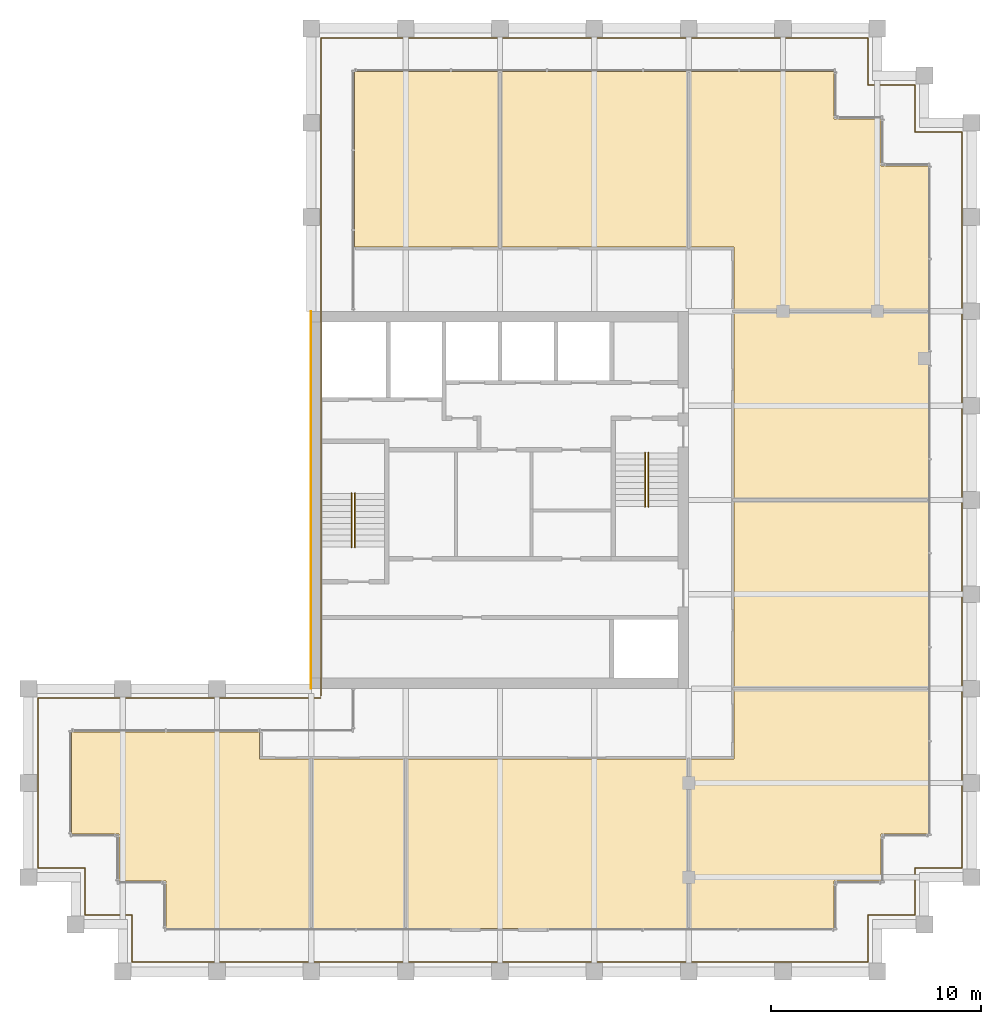
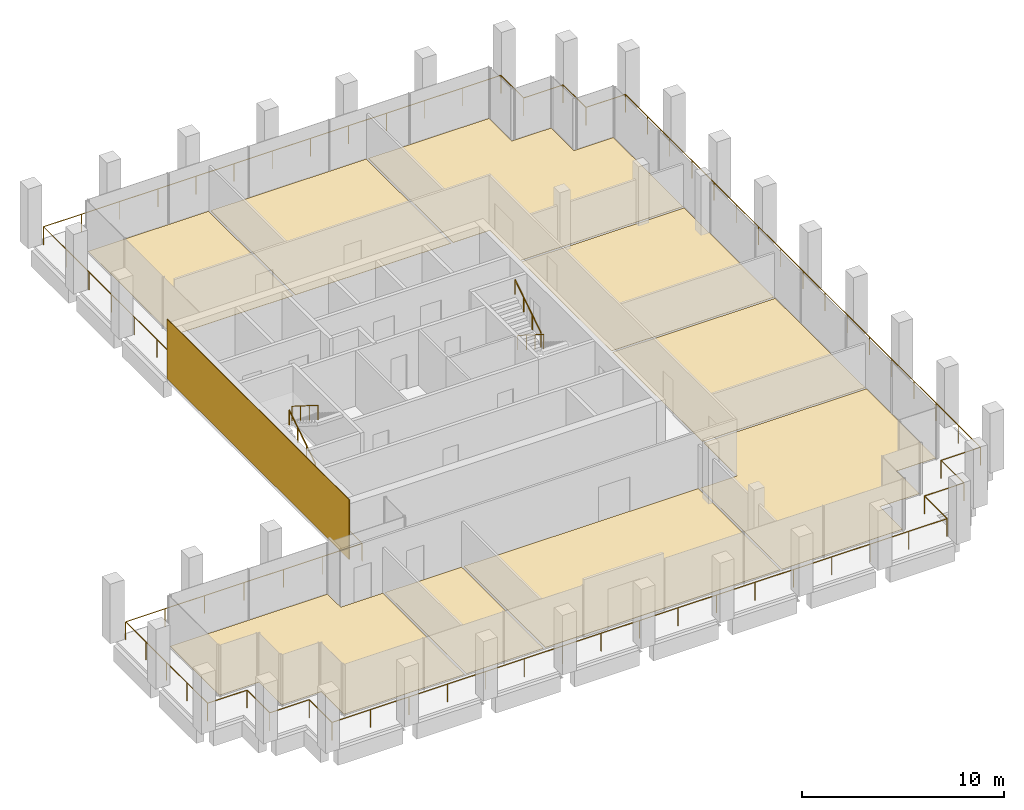
# One storey, part 30 of 30: 10 coverings, 5 railings.
"""IFC4 building model written with IfcOpenShell, lengths in metres."""

import ifcopenshell
import ifcopenshell.guid

model = None  # the IFC model being written
_history = None  # IfcOwnerHistory: only IFC2X3 demands one
_inside = {}  # id of a spatial element -> (the spatial element, [elements in it])
_under = {}  # id of a project, library or spatial element -> (it, [spatial elements below it])
_declared = {}  # id of a project -> (the project, [libraries it declares])
_typed = {}  # id of a type object -> (the type object, [elements of that type])
_made_of = {}  # id of a material, layer set ... -> (it, [elements and type objects made of it])


def new_model(schema):
    """Start an empty IFC model of exactly this schema.

    Asked for "IFC4X3", IfcOpenShell would pick the latest addendum, in which some entities
    have other attributes; the version numbers below select the first issue.
    IFC2X3 requires an IfcOwnerHistory on every rooted entity: one is made here for all.
    """
    global model, _history
    if schema == "IFC4X3":
        model = ifcopenshell.file(schema_version=(4, 3, 0, 0))
    else:
        model = ifcopenshell.file(schema=schema)
    _inside.clear()
    _under.clear()
    _declared.clear()
    _typed.clear()
    _made_of.clear()
    _history = None
    if model.schema == "IFC2X3":
        org = make("IfcOrganization", Name="unknown")
        user = make(
            "IfcPersonAndOrganization",
            ThePerson=make("IfcPerson", FamilyName="unknown"),
            TheOrganization=org,
        )
        app = make(
            "IfcApplication",
            ApplicationDeveloper=org,
            Version="unknown",
            ApplicationFullName="unknown",
            ApplicationIdentifier="unknown",
        )
        _history = make(
            "IfcOwnerHistory",
            OwningUser=user,
            OwningApplication=app,
            ChangeAction="ADDED",
            CreationDate=0,
        )
    return model


def make(cls, **values):
    """One entity of the class cls with the attributes given. An attribute that is None is left unset."""
    return model.create_entity(
        cls, **{name: value for name, value in values.items() if value is not None}
    )


def rooted(cls, **values):
    """An entity with a GlobalId (a new one), such as an element, a storey or a relation."""
    return make(cls, GlobalId=ifcopenshell.guid.new(), OwnerHistory=_history, **values)


def si_unit(unit_type, name, prefix=None):
    """IfcSIUnit, for example si_unit("LENGTHUNIT", "METRE", prefix="MILLI")."""
    return make("IfcSIUnit", UnitType=unit_type, Prefix=prefix, Name=name)


def assignment(units):
    """IfcUnitAssignment: the units of a project."""
    return None if units is None else make("IfcUnitAssignment", Units=units)


def point(xyz):
    """IfcCartesianPoint."""
    return None if xyz is None else make("IfcCartesianPoint", Coordinates=xyz)


def direction(xyz):
    """IfcDirection."""
    return None if xyz is None else make("IfcDirection", DirectionRatios=xyz)


def frame(location, z_axis=None, x_axis=None):
    """IfcAxis2Placement3D, a coordinate frame: its origin and axes. An axis left out is left unset."""
    return make(
        "IfcAxis2Placement3D",
        Location=point(location),
        Axis=direction(z_axis),
        RefDirection=direction(x_axis),
    )


def frame_2d(location, x_axis=None):
    """IfcAxis2Placement2D, a coordinate frame in the plane: its origin and x axis."""
    return make(
        "IfcAxis2Placement2D", Location=point(location), RefDirection=direction(x_axis)
    )


def origin():
    """The frame at (0, 0, 0) with its axes left unset."""
    return frame((0.0, 0.0, 0.0))


def origin_2d():
    """The frame at (0, 0) in the plane with its x axis left unset."""
    return frame_2d((0.0, 0.0))


def place(relative_to, where):
    """IfcLocalPlacement: puts the frame where relative to a parent placement (None: the world)."""
    return make(
        "IfcLocalPlacement", PlacementRelTo=relative_to, RelativePlacement=where
    )


def context(
    kind, dimensions, precision=None, world=None, true_north=None, identifier=None
):
    """IfcGeometricRepresentationContext, for example the 3D "Model" context."""
    return make(
        "IfcGeometricRepresentationContext",
        ContextIdentifier=identifier,
        ContextType=kind,
        CoordinateSpaceDimension=dimensions,
        Precision=precision,
        WorldCoordinateSystem=world,
        TrueNorth=true_north,
    )


def subcontext(parent, identifier, kind, view, scale=None):
    """IfcGeometricRepresentationSubContext, for example "Body" below "Model"."""
    return make(
        "IfcGeometricRepresentationSubContext",
        ContextIdentifier=identifier,
        ContextType=kind,
        ParentContext=parent,
        TargetScale=scale,
        TargetView=view,
    )


def project(units=None, contexts=None):
    """IfcProject with its units and contexts."""
    return rooted(
        "IfcProject",
        Name="project",
        RepresentationContexts=contexts,
        UnitsInContext=assignment(units),
    )


def spatial(cls, under=None, at=None, **own):
    """A site, building, storey or space (cls), placed at a placement, below another one or the project."""
    s = rooted(cls, ObjectPlacement=at, **own)
    if under is not None:
        _under.setdefault(under.id(), (under, []))[1].append(s)
    return s


def polyline(points):
    """IfcPolyline through the points."""
    return make("IfcPolyline", Points=[point(p) for p in points])


def profile(cls, at=None, kind="AREA", **sizes):
    """A parametric profile (cls). Its sizes go by their IFC names, for example OverallWidth=200.0."""
    return make(cls, ProfileType=kind, Position=at, **sizes)


def rectangle(**sizes):
    """IfcRectangleProfileDef."""
    return profile("IfcRectangleProfileDef", **sizes)


def circle(**sizes):
    """IfcCircleProfileDef."""
    return profile("IfcCircleProfileDef", **sizes)


def outline(outer, holes=None, kind="AREA"):
    """IfcArbitraryClosedProfileDef: a profile drawn as a closed curve; with holes, ...WithVoids."""
    if holes is None:
        return make("IfcArbitraryClosedProfileDef", ProfileType=kind, OuterCurve=outer)
    return make(
        "IfcArbitraryProfileDefWithVoids",
        ProfileType=kind,
        OuterCurve=outer,
        InnerCurves=holes,
    )


def extrude(swept, where, along, depth):
    """IfcExtrudedAreaSolid: the profile swept, set in the frame where, extruded along a direction by depth."""
    return make(
        "IfcExtrudedAreaSolid",
        SweptArea=swept,
        Position=where,
        ExtrudedDirection=direction(along),
        Depth=depth,
    )


def shape(context_of_items, identifier, shape_type, items):
    """IfcShapeRepresentation: the items that make up one representation, for example the "Body"."""
    return make(
        "IfcShapeRepresentation",
        ContextOfItems=context_of_items,
        RepresentationIdentifier=identifier,
        RepresentationType=shape_type,
        Items=items,
    )


def source(mapping_origin, context_of_items, identifier, shape_type, items):
    """IfcRepresentationMap: a shape defined once, which mapped items show again and again."""
    return make(
        "IfcRepresentationMap",
        MappingOrigin=mapping_origin,
        MappedRepresentation=shape(context_of_items, identifier, shape_type, items),
    )


def transform(
    local_origin,
    x_axis=None,
    y_axis=None,
    z_axis=None,
    scale=None,
    scale2=None,
    scale3=None,
    uniform=True,
):
    """IfcCartesianTransformationOperator3D, or its non-uniform kind. x_axis, y_axis, z_axis: its Axis1, 2, 3."""
    if uniform:
        return make(
            "IfcCartesianTransformationOperator3D",
            Axis1=direction(x_axis),
            Axis2=direction(y_axis),
            LocalOrigin=point(local_origin),
            Scale=scale,
            Axis3=direction(z_axis),
        )
    return make(
        "IfcCartesianTransformationOperator3DnonUniform",
        Axis1=direction(x_axis),
        Axis2=direction(y_axis),
        LocalOrigin=point(local_origin),
        Scale=scale,
        Axis3=direction(z_axis),
        Scale2=scale2,
        Scale3=scale3,
    )


def mapped(mapping_source, mapping_target):
    """IfcMappedItem: shows the shape of a source again, moved by a transform."""
    return make(
        "IfcMappedItem", MappingSource=mapping_source, MappingTarget=mapping_target
    )


def material(Name=None, Category=None):
    """IfcMaterial."""
    return make("IfcMaterial", Name=Name, Category=Category)


def layer(
    of_material, thickness, ventilated=None, Name=None, Category=None, Priority=None
):
    """IfcMaterialLayer: one layer of a wall or slab, of a material (None: an air gap)."""
    return make(
        "IfcMaterialLayer",
        Material=of_material,
        LayerThickness=thickness,
        IsVentilated=ventilated,
        Name=Name,
        Category=Category,
        Priority=Priority,
    )


def layer_set(layers, Name=None):
    """IfcMaterialLayerSet."""
    return make("IfcMaterialLayerSet", MaterialLayers=layers, LayerSetName=Name)


def made_of(thing, what):
    """Note that an element or type object is made of a material, layer set ...; save() writes the relation."""
    if what is not None:
        _made_of.setdefault(what.id(), (what, []))[1].append(thing)
    return thing


def type_object(cls, material=None, **own):
    """A type object (cls), such as IfcWallType, which elements share."""
    return made_of(rooted(cls, **own), material)


def element(
    cls,
    number,
    at=None,
    inside=None,
    cuts=None,
    type_object=None,
    material=None,
    context=None,
    identifier="Body",
    shape_type=None,
    held_by="IfcProductDefinitionShape",
    body=None,
    shapes=None,
    **own,
):
    """One element of the class cls, such as IfcWall. Its Tag is "e" and its number.

    at: its placement. inside: the storey or other place that contains it. cuts: it is an
    opening in that element (IfcRelVoidsElement). A single representation is given by context,
    identifier, shape_type and body (its items); several are given by shapes. held_by: the class
    of the entity that holds the representations. save() writes the other relations.
    """
    e = rooted(cls, Tag="e%d" % number, ObjectPlacement=at, **own)
    if body is not None:
        shapes = [shape(context, identifier, shape_type, body)]
    if shapes is not None:
        e.Representation = make(held_by, Representations=shapes)
    if inside is not None:
        _inside.setdefault(inside.id(), (inside, []))[1].append(e)
    if cuts is not None:
        rooted(
            "IfcRelVoidsElement", RelatingBuildingElement=cuts, RelatedOpeningElement=e
        )
    if type_object is not None:
        _typed.setdefault(type_object.id(), (type_object, []))[1].append(e)
    return made_of(e, material)


def aggregate(whole, parts):
    """IfcRelAggregates: a whole, such as a stair, and the parts it consists of."""
    return rooted("IfcRelAggregates", RelatingObject=whole, RelatedObjects=parts)


def save(model, path):
    """Write the relations noted so far, then the file.

    IfcRelAggregates (storeys below a building ...), IfcRelContainedInSpatialStructure (elements
    in a storey), IfcRelDefinesByType, IfcRelAssociatesMaterial and IfcRelDeclares: one each for
    every whole, place, type object, material and project.
    """
    for whole, parts in _under.values():
        aggregate(whole, parts)
    for where, things in _inside.values():
        rooted(
            "IfcRelContainedInSpatialStructure",
            RelatedElements=things,
            RelatingStructure=where,
        )
    for kind, things in _typed.values():
        rooted("IfcRelDefinesByType", RelatedObjects=things, RelatingType=kind)
    for what, things in _made_of.values():
        rooted("IfcRelAssociatesMaterial", RelatedObjects=things, RelatingMaterial=what)
    for by, libraries in _declared.values():
        rooted("IfcRelDeclares", RelatingContext=by, RelatedDefinitions=libraries)
    model.write(path)


model = new_model("IFC4")

# Units and contexts
model_context = context("Model", 3, precision=1e-05, world=origin(), true_north=direction((0.0, 1.0)))
body_context = subcontext(model_context, "Body", "Model", "MODEL_VIEW")
ifc_project = project(units=[si_unit("LENGTHUNIT", "METRE"), si_unit("AREAUNIT", "SQUARE_METRE"), si_unit("VOLUMEUNIT", "CUBIC_METRE"), si_unit("PLANEANGLEUNIT", "RADIAN"), si_unit("MASSUNIT", "GRAM", prefix="KILO")], contexts=[model_context])

# Site, building, storey
site_placement = place(None, origin())
site = spatial("IfcSite", under=ifc_project, at=site_placement, CompositionType="ELEMENT")
building_placement = place(site_placement, origin())
building = spatial("IfcBuilding", under=site, at=building_placement, Name="Altepetl Exchange Towers", CompositionType="ELEMENT")
storey_placement = place(building_placement, frame((0.0, 0.0, 228.0)))
storey = spatial("IfcBuildingStorey", under=building, at=storey_placement, Name="L58", CompositionType="ELEMENT", Elevation=228.0)

# Coverings
ifc_material_1 = material(Name="Carpet tile")
ifc_layer_1 = layer(ifc_material_1, 0.02001953125)
ifc_layer_set_1 = layer_set([ifc_layer_1], Name="Carpet tile")
covering_type_1 = type_object("IfcCoveringType", Name="Carpet tile floor", PredefinedType="FLOORING", material=ifc_layer_set_1)
covering_1_placement = place(storey_placement, origin())
element("IfcCovering", 1, at=covering_1_placement, inside=storey, type_object=covering_type_1, Name="Open office floor finish A58.01", PredefinedType="FLOORING", context=body_context, shape_type="SweptSolid", body=[
    extrude(outline(polyline([(33.5625, 31.3125), (33.5625, 29.0625), (40.4375, 29.0625), (40.4375, 37.137451171875), (38.03759765625, 37.137451171875), (38.03759765625, 38.4375), (29.0625, 38.4375), (29.0625, 33.5625), (31.3125, 33.5625), (31.3125, 31.3125), (33.5625, 31.3125)])), origin(), (0.0, 0.0, 1.0), 0.02001953125),
])
covering_2_placement = place(storey_placement, origin())
element("IfcCovering", 2, at=covering_2_placement, inside=storey, type_object=covering_type_1, Name="Pantry floor finish A58.02", PredefinedType="FLOORING", context=body_context, shape_type="SweptSolid", body=[
    extrude(outline(polyline([(40.5625, 37.137451171875), (40.5625, 29.0625), (44.9375, 29.0625), (44.9375, 37.137451171875), (40.5625, 37.137451171875)])), origin(), (0.0, 0.0, 1.0), 0.02001953125),
])
covering_3_placement = place(storey_placement, origin())
element("IfcCovering", 3, at=covering_3_placement, inside=storey, type_object=covering_type_1, Name="Fund office floor finish A58.04", PredefinedType="FLOORING", context=body_context, shape_type="SweptSolid", body=[
    extrude(outline(polyline([(58.5625, 37.137451171875), (58.5625, 29.0625), (65.4375, 29.0625), (65.4375, 31.3125), (67.6875, 31.3125), (67.6875, 33.5625), (69.9375, 33.5625), (69.9375, 40.4375), (60.66259765625, 40.4375), (60.66259765625, 37.137451171875), (58.5625, 37.137451171875)])), origin(), (0.0, 0.0, 1.0), 0.02001953125),
])
covering_4_placement = place(storey_placement, origin())
element("IfcCovering", 4, at=covering_4_placement, inside=storey, type_object=covering_type_1, Name="Meeting room floor finish A58.05", PredefinedType="FLOORING", context=body_context, shape_type="SweptSolid", body=[
    extrude(outline(polyline([(60.66259765625, 40.5625), (69.9375, 40.5625), (69.9375, 49.4375), (60.66259765625, 49.4375), (60.66259765625, 40.5625)])), origin(), (0.0, 0.0, 1.0), 0.02001953125),
])
covering_5_placement = place(storey_placement, origin())
element("IfcCovering", 5, at=covering_5_placement, inside=storey, type_object=covering_type_1, Name="Huddle room floor finish A58.06", PredefinedType="FLOORING", context=body_context, shape_type="SweptSolid", body=[
    extrude(outline(polyline([(60.66259765625, 49.5625), (69.9375, 49.5625), (69.9375, 58.4375), (60.66259765625, 58.4375), (60.66259765625, 49.5625)])), origin(), (0.0, 0.0, 1.0), 0.02001953125),
])
covering_6_placement = place(storey_placement, origin())
element("IfcCovering", 6, at=covering_6_placement, inside=storey, type_object=covering_type_1, Name="Fund office floor finish A58.07", PredefinedType="FLOORING", context=body_context, shape_type="SweptSolid", body=[
    extrude(outline(polyline([(60.66259765625, 58.5625), (69.9375, 58.5625), (69.9375, 65.4375), (67.6875, 65.4375), (67.6875, 67.6875), (65.4375, 67.6875), (65.4375, 69.9375), (58.5625, 69.9375), (58.5625, 61.5625), (60.66259765625, 61.5625), (60.66259765625, 58.5625)])), origin(), (0.0, 0.0, 1.0), 0.02001953125),
])
covering_7_placement = place(storey_placement, origin())
element("IfcCovering", 7, at=covering_7_placement, inside=storey, type_object=covering_type_1, Name="Meeting room floor finish A58.08", PredefinedType="FLOORING", context=body_context, shape_type="SweptSolid", body=[
    extrude(outline(polyline([(58.4375, 61.5625), (58.4375, 69.9375), (49.5625, 69.9375), (49.5625, 61.5625), (58.4375, 61.5625)])), origin(), (0.0, 0.0, 1.0), 0.02001953125),
])
covering_8_placement = place(storey_placement, origin())
element("IfcCovering", 8, at=covering_8_placement, inside=storey, type_object=covering_type_1, Name="Huddle room floor finish A58.09", PredefinedType="FLOORING", context=body_context, shape_type="SweptSolid", body=[
    extrude(outline(polyline([(42.5625, 61.5625), (49.4375, 61.5625), (49.4375, 69.9375), (42.5625, 69.9375), (42.5625, 61.5625)])), origin(), (0.0, 0.0, 1.0), 0.02001953125),
])
ifc_material_2 = material(Name="Cantera stone", Category="masonry")
ifc_layer_2 = layer(ifc_material_2, 0.030029296875)
ifc_layer_set_2 = layer_set([ifc_layer_2], Name="Cantera stone")
covering_type_2 = type_object("IfcCoveringType", Name="Polished stone floor", PredefinedType="FLOORING", material=ifc_layer_set_2)
covering_9_placement = place(storey_placement, origin())
element("IfcCovering", 9, at=covering_9_placement, inside=storey, type_object=covering_type_2, Name="Staff club floor finish A58.03", PredefinedType="FLOORING", context=body_context, shape_type="SweptSolid", body=[
    extrude(outline(polyline([(45.0625, 37.137451171875), (45.0625, 29.0625), (58.4375, 29.0625), (58.4375, 37.137451171875), (45.0625, 37.137451171875)])), origin(), (0.0, 0.0, 1.0), 0.030029296875),
])
ifc_material_3 = material(Name="Cantera limestone cladding", Category="masonry")
ifc_layer_3 = layer(ifc_material_3, 0.0400390625)
ifc_layer_set_3 = layer_set([ifc_layer_3], Name="Cantera limestone cladding")
covering_type_3 = type_object("IfcCoveringType", Name="Stone panel 40 cantera", PredefinedType="CLADDING", material=ifc_layer_set_3)
covering_10_placement = place(storey_placement, frame((40.47998046875, 49.5, 0.0), z_axis=(0.0, 0.0, 1.0), x_axis=(0.0, -1.0, 0.0)))
element("IfcCovering", 10, at=covering_10_placement, inside=storey, type_object=covering_type_3, Name="Stone cladding panel", PredefinedType="CLADDING", context=body_context, shape_type="SweptSolid", body=[
    extrude(rectangle(XDim=18.0, YDim=0.0400390625, at=origin_2d()), origin(), (0.0, 0.0, 1.0), 3.60009765625),
])

# Railings
ifc_material_4 = material(Name="Steel S355", Category="steel")
railing_type_1 = type_object("IfcRailingType", Name="Guard 1100 steel posts and rail", PredefinedType="GUARDRAIL", material=ifc_material_4)
shared_shape_1 = source(origin(), body_context, "Body", "SweptSolid", [
    extrude(circle(Radius=0.02099609375, at=origin_2d()), origin(), (0.0, 0.0, 1.0), 1.052001953125),
])
railing_1_placement = place(storey_placement, frame((40.949951171875, 40.050048828125, 0.0)))
element("IfcRailing", 11, at=railing_1_placement, inside=storey, type_object=railing_type_1, Name="Loggia guard", PredefinedType="GUARDRAIL", context=body_context, shape_type="SweptSolid", body=[
    extrude(circle(Radius=0.02392578125, at=origin_2d()), frame((0.0, 0.0, 1.076171875), z_axis=(-1.0, 0.0, 0.0), x_axis=(0.0, -1.0, 0.0)), (0.0, 0.0, 1.0), 13.5),
    extrude(circle(Radius=0.02392578125, at=origin_2d()), frame((-13.5, 0.0, 1.076171875), z_axis=(0.0, -1.0, 0.0), x_axis=(1.0, 0.0, 0.0)), (0.0, 0.0, 1.0), 8.10009765625),
    extrude(circle(Radius=0.02392578125, at=origin_2d()), frame((-13.5, -8.10009765625, 1.076171875), z_axis=(1.0, 0.0, 0.0), x_axis=(0.0, 1.0, 0.0)), (0.0, 0.0, 1.0), 2.25),
    extrude(circle(Radius=0.02392578125, at=origin_2d()), frame((-11.25, -8.10009765625, 1.076171875), z_axis=(0.0, -1.0, 0.0), x_axis=(1.0, 0.0, 0.0)), (0.0, 0.0, 1.0), 2.25),
    extrude(circle(Radius=0.02392578125, at=origin_2d()), frame((-11.25, -10.35009765625, 1.076171875), z_axis=(1.0, 0.0, 0.0), x_axis=(0.0, 1.0, 0.0)), (0.0, 0.0, 1.0), 2.25),
    extrude(circle(Radius=0.02392578125, at=origin_2d()), frame((-9.0, -10.35009765625, 1.076171875), z_axis=(0.0, -1.0, 0.0), x_axis=(1.0, 0.0, 0.0)), (0.0, 0.0, 1.0), 2.25),
    extrude(circle(Radius=0.02392578125, at=origin_2d()), frame((-9.0, -12.60009765625, 1.076171875), z_axis=(1.0, 0.0, 0.0), x_axis=(0.0, 1.0, 0.0)), (0.0, 0.0, 1.0), 35.10009765625),
    extrude(circle(Radius=0.02392578125, at=origin_2d()), frame((26.10009765625, -12.60009765625, 1.076171875), z_axis=(0.0, 1.0, 0.0), x_axis=(-1.0, 0.0, 0.0)), (0.0, 0.0, 1.0), 2.25),
    extrude(circle(Radius=0.02392578125, at=origin_2d()), frame((26.10009765625, -10.35009765625, 1.076171875), z_axis=(1.0, 0.0, 0.0), x_axis=(0.0, 1.0, 0.0)), (0.0, 0.0, 1.0), 2.25),
    extrude(circle(Radius=0.02392578125, at=origin_2d()), frame((28.35009765625, -10.35009765625, 1.076171875), z_axis=(0.0, 1.0, 0.0), x_axis=(-1.0, 0.0, 0.0)), (0.0, 0.0, 1.0), 2.25),
    extrude(circle(Radius=0.02392578125, at=origin_2d()), frame((28.35009765625, -8.10009765625, 1.076171875), z_axis=(1.0, 0.0, 0.0), x_axis=(0.0, 1.0, 0.0)), (0.0, 0.0, 1.0), 2.25),
    extrude(circle(Radius=0.02392578125, at=origin_2d()), frame((30.60009765625, -8.10009765625, 1.076171875), z_axis=(0.0, 1.0, 0.0), x_axis=(-1.0, 0.0, 0.0)), (0.0, 0.0, 1.0), 35.10009765625),
    extrude(circle(Radius=0.02392578125, at=origin_2d()), frame((30.60009765625, 27.0, 1.076171875), z_axis=(-1.0, 0.0, 0.0), x_axis=(0.0, -1.0, 0.0)), (0.0, 0.0, 1.0), 2.25),
    extrude(circle(Radius=0.02392578125, at=origin_2d()), frame((28.35009765625, 27.0, 1.076171875), z_axis=(0.0, 1.0, 0.0), x_axis=(-1.0, 0.0, 0.0)), (0.0, 0.0, 1.0), 2.25),
    extrude(circle(Radius=0.02392578125, at=origin_2d()), frame((28.35009765625, 29.25, 1.076171875), z_axis=(-1.0, 0.0, 0.0), x_axis=(0.0, -1.0, 0.0)), (0.0, 0.0, 1.0), 2.25),
    extrude(circle(Radius=0.02392578125, at=origin_2d()), frame((26.10009765625, 29.25, 1.076171875), z_axis=(0.0, 1.0, 0.0), x_axis=(-1.0, 0.0, 0.0)), (0.0, 0.0, 1.0), 2.25),
    extrude(circle(Radius=0.02392578125, at=origin_2d()), frame((26.10009765625, 31.5, 1.076171875), z_axis=(-1.0, 0.0, 0.0), x_axis=(0.0, -1.0, 0.0)), (0.0, 0.0, 1.0), 26.10009765625),
    extrude(circle(Radius=0.02392578125, at=origin_2d()), frame((0.0, 31.5, 1.076171875), z_axis=(0.0, -1.0, 0.0), x_axis=(1.0, 0.0, 0.0)), (0.0, 0.0, 1.0), 31.400146484375),
    mapped(shared_shape_1, transform((0.0, 0.0, 0.0))),
    mapped(shared_shape_1, transform((-2.25, 0.0, 0.0))),
    mapped(shared_shape_1, transform((-4.5, 0.0, 0.0))),
    mapped(shared_shape_1, transform((-6.75, 0.0, 0.0))),
    mapped(shared_shape_1, transform((-9.0, 0.0, 0.0))),
    mapped(shared_shape_1, transform((-11.25, 0.0, 0.0))),
    mapped(shared_shape_1, transform((-13.5, 0.0, 0.0))),
    mapped(shared_shape_1, transform((-13.5, -2.02490234375, 0.0))),
    mapped(shared_shape_1, transform((-13.5, -4.050048828125, 0.0))),
    mapped(shared_shape_1, transform((-13.5, -6.0751953125, 0.0))),
    mapped(shared_shape_1, transform((-13.5, -8.10009765625, 0.0))),
    mapped(shared_shape_1, transform((-11.25, -8.10009765625, 0.0))),
    mapped(shared_shape_1, transform((-11.25, -10.35009765625, 0.0))),
    mapped(shared_shape_1, transform((-9.0, -10.35009765625, 0.0))),
    mapped(shared_shape_1, transform((-9.0, -12.60009765625, 0.0))),
    mapped(shared_shape_1, transform((-6.80615234375, -12.60009765625, 0.0))),
    mapped(shared_shape_1, transform((-4.612548828125, -12.60009765625, 0.0))),
    mapped(shared_shape_1, transform((-2.418701171875, -12.60009765625, 0.0))),
    mapped(shared_shape_1, transform((-0.22509765625, -12.60009765625, 0.0))),
    mapped(shared_shape_1, transform((1.96875, -12.60009765625, 0.0))),
    mapped(shared_shape_1, transform((4.16259765625, -12.60009765625, 0.0))),
    mapped(shared_shape_1, transform((6.356201171875, -12.60009765625, 0.0))),
    mapped(shared_shape_1, transform((8.550048828125, -12.60009765625, 0.0))),
    mapped(shared_shape_1, transform((10.743896484375, -12.60009765625, 0.0))),
    mapped(shared_shape_1, transform((12.9375, -12.60009765625, 0.0))),
    mapped(shared_shape_1, transform((15.13134765625, -12.60009765625, 0.0))),
    mapped(shared_shape_1, transform((17.3251953125, -12.60009765625, 0.0))),
    mapped(shared_shape_1, transform((19.518798828125, -12.60009765625, 0.0))),
    mapped(shared_shape_1, transform((21.712646484375, -12.60009765625, 0.0))),
    mapped(shared_shape_1, transform((23.90625, -12.60009765625, 0.0))),
    mapped(shared_shape_1, transform((26.10009765625, -12.60009765625, 0.0))),
    mapped(shared_shape_1, transform((26.10009765625, -10.35009765625, 0.0))),
    mapped(shared_shape_1, transform((28.35009765625, -10.35009765625, 0.0))),
    mapped(shared_shape_1, transform((28.35009765625, -8.10009765625, 0.0))),
    mapped(shared_shape_1, transform((30.60009765625, -8.10009765625, 0.0))),
    mapped(shared_shape_1, transform((30.60009765625, -5.90625, 0.0))),
    mapped(shared_shape_1, transform((30.60009765625, -3.712646484375, 0.0))),
    mapped(shared_shape_1, transform((30.60009765625, -1.518798828125, 0.0))),
    mapped(shared_shape_1, transform((30.60009765625, 0.6748046875, 0.0))),
    mapped(shared_shape_1, transform((30.60009765625, 2.86865234375, 0.0))),
    mapped(shared_shape_1, transform((30.60009765625, 5.0625, 0.0))),
    mapped(shared_shape_1, transform((30.60009765625, 7.256103515625, 0.0))),
    mapped(shared_shape_1, transform((30.60009765625, 9.449951171875, 0.0))),
    mapped(shared_shape_1, transform((30.60009765625, 11.643798828125, 0.0))),
    mapped(shared_shape_1, transform((30.60009765625, 13.83740234375, 0.0))),
    mapped(shared_shape_1, transform((30.60009765625, 16.03125, 0.0))),
    mapped(shared_shape_1, transform((30.60009765625, 18.22509765625, 0.0))),
    mapped(shared_shape_1, transform((30.60009765625, 20.418701171875, 0.0))),
    mapped(shared_shape_1, transform((30.60009765625, 22.612548828125, 0.0))),
    mapped(shared_shape_1, transform((30.60009765625, 24.80615234375, 0.0))),
    mapped(shared_shape_1, transform((30.60009765625, 27.0, 0.0))),
    mapped(shared_shape_1, transform((28.35009765625, 27.0, 0.0))),
    mapped(shared_shape_1, transform((28.35009765625, 29.25, 0.0))),
    mapped(shared_shape_1, transform((26.10009765625, 29.25, 0.0))),
    mapped(shared_shape_1, transform((26.10009765625, 31.5, 0.0))),
    mapped(shared_shape_1, transform((23.925048828125, 31.5, 0.0))),
    mapped(shared_shape_1, transform((21.75, 31.5, 0.0))),
    mapped(shared_shape_1, transform((19.5751953125, 31.5, 0.0))),
    mapped(shared_shape_1, transform((17.400146484375, 31.5, 0.0))),
    mapped(shared_shape_1, transform((15.22509765625, 31.5, 0.0))),
    mapped(shared_shape_1, transform((13.050048828125, 31.5, 0.0))),
    mapped(shared_shape_1, transform((10.875, 31.5, 0.0))),
    mapped(shared_shape_1, transform((8.699951171875, 31.5, 0.0))),
    mapped(shared_shape_1, transform((6.52490234375, 31.5, 0.0))),
    mapped(shared_shape_1, transform((4.35009765625, 31.5, 0.0))),
    mapped(shared_shape_1, transform((2.175048828125, 31.5, 0.0))),
    mapped(shared_shape_1, transform((0.0, 31.5, 0.0))),
    mapped(shared_shape_1, transform((0.0, 29.257080078125, 0.0))),
    mapped(shared_shape_1, transform((0.0, 27.01416015625, 0.0))),
    mapped(shared_shape_1, transform((0.0, 24.771484375, 0.0))),
    mapped(shared_shape_1, transform((0.0, 22.528564453125, 0.0))),
    mapped(shared_shape_1, transform((0.0, 20.28564453125, 0.0))),
    mapped(shared_shape_1, transform((0.0, 18.042724609375, 0.0))),
    mapped(shared_shape_1, transform((0.0, 15.7998046875, 0.0))),
    mapped(shared_shape_1, transform((0.0, 13.55712890625, 0.0))),
    mapped(shared_shape_1, transform((0.0, 11.314208984375, 0.0))),
    mapped(shared_shape_1, transform((0.0, 9.0712890625, 0.0))),
    mapped(shared_shape_1, transform((0.0, 6.828369140625, 0.0))),
    mapped(shared_shape_1, transform((0.0, 4.585693359375, 0.0))),
    mapped(shared_shape_1, transform((0.0, 2.3427734375, 0.0))),
    mapped(shared_shape_1, transform((0.0, 0.099853515625, 0.0))),
])
ifc_material_5 = material(Name="Steel", Category="steel")
railing_type_2 = type_object("IfcRailingType", Name="Stair handrail 50 steel tube", PredefinedType="HANDRAIL", material=ifc_material_5)
shared_shape_2 = source(origin(), body_context, "Body", "SweptSolid", [
    extrude(circle(Radius=0.02099609375, at=origin_2d()), origin(), (0.0, 0.0, 1.0), 0.851806640625),
])
railing_2_placement = place(storey_placement, frame((42.419921875, 47.25, 0.179931640625)))
element("IfcRailing", 12, at=railing_2_placement, inside=storey, type_object=railing_type_2, Name="Stair handrail", PredefinedType="HANDRAIL", context=body_context, shape_type="SweptSolid", body=[
    extrude(circle(Radius=0.02392578125, at=origin_2d()), frame((0.0, 0.0, 0.8759765625), z_axis=(0.0, 0.845465955043, 0.534029323973), x_axis=(-1.0, 0.0, 0.0)), (0.0, 0.0, 1.0), 3.03369140625),
    mapped(shared_shape_2, transform((0.0, 0.0, 0.0))),
    mapped(shared_shape_2, transform((0.0, 0.85498046875, 0.5400390625))),
    mapped(shared_shape_2, transform((0.0, 1.7099609375, 1.080078125))),
    mapped(shared_shape_2, transform((0.0, 2.56494140625, 1.6201171875))),
])
for number, where, name in (
    (13, (42.580078125, 49.81494140625, 1.97998046875), "Stair handrail"),
    (14, (56.580078125, 51.75, 0.179931640625), "Stair handrail"),
):
    element("IfcRailing", number, at=place(storey_placement, frame(where)), inside=storey, type_object=railing_type_2, Name=name, PredefinedType="HANDRAIL", context=body_context, shape_type="SweptSolid", body=[
        extrude(circle(Radius=0.02392578125, at=origin_2d()), frame((0.0, 0.0, 0.8759765625), z_axis=(0.0, -0.845465955043, 0.534029323973), x_axis=(1.0, 0.0, 0.0)), (0.0, 0.0, 1.0), 3.03369140625),
        mapped(shared_shape_2, transform((0.0, 0.0, 0.0))),
        mapped(shared_shape_2, transform((0.0, -0.85498046875, 0.5400390625))),
        mapped(shared_shape_2, transform((0.0, -1.7099609375, 1.080078125))),
        mapped(shared_shape_2, transform((0.0, -2.56494140625, 1.6201171875))),
    ])
railing_3_placement = place(storey_placement, frame((56.419921875, 49.18505859375, 1.97998046875)))
element("IfcRailing", 15, at=railing_3_placement, inside=storey, type_object=railing_type_2, Name="Stair handrail", PredefinedType="HANDRAIL", context=body_context, shape_type="SweptSolid", body=[
    extrude(circle(Radius=0.02392578125, at=origin_2d()), frame((0.0, 0.0, 0.8759765625), z_axis=(0.0, 0.845465955043, 0.534029323973), x_axis=(-1.0, 0.0, 0.0)), (0.0, 0.0, 1.0), 3.03369140625),
    mapped(shared_shape_2, transform((0.0, 0.0, 0.0))),
    mapped(shared_shape_2, transform((0.0, 0.85498046875, 0.5400390625))),
    mapped(shared_shape_2, transform((0.0, 1.7099609375, 1.080078125))),
    mapped(shared_shape_2, transform((0.0, 2.56494140625, 1.6201171875))),
])

save(model, "model.ifc")
